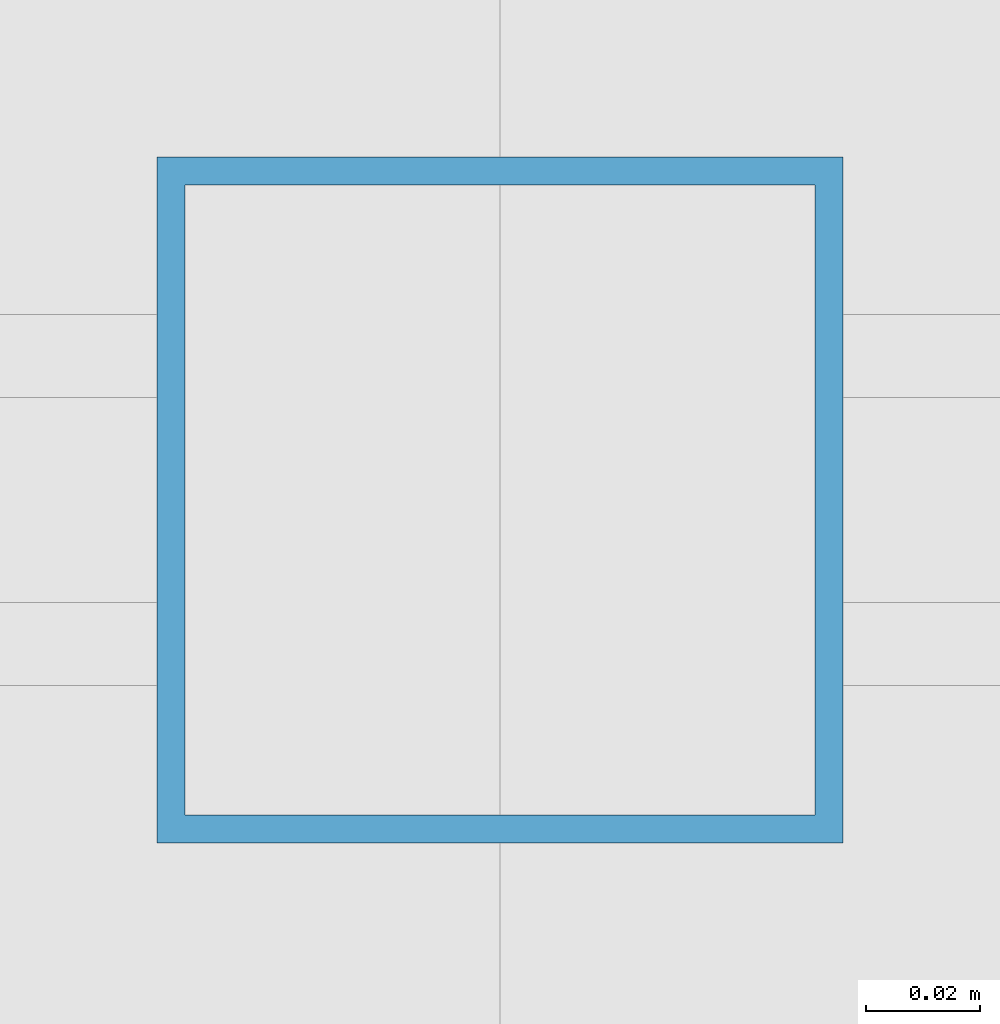
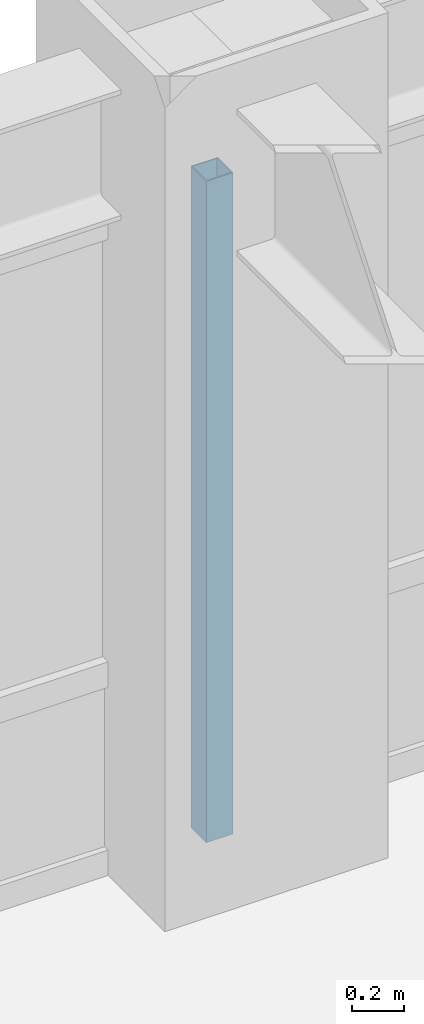
# One storey, part 16 of 24: 1 member, 1 element without a shape of its own.
"""IFC4 building model written with IfcOpenShell, lengths in metres."""

from ifc_helpers import new_model, si_unit, direction, frame, origin, origin_2d, place, context, subcontext, project, spatial, hollow_rectangle, extrude, source, transform, mapped, material, material_profile, profile_set, type_object, element, aggregate, save


model = new_model("IFC4")

# Units and contexts
model_context = context("Model", 3, precision=1e-05, world=origin(), true_north=direction((0.0, 1.0)))
body_context = subcontext(model_context, "Body", "Model", "MODEL_VIEW")
ifc_project = project(units=[si_unit("LENGTHUNIT", "METRE"), si_unit("AREAUNIT", "SQUARE_METRE"), si_unit("VOLUMEUNIT", "CUBIC_METRE"), si_unit("PLANEANGLEUNIT", "RADIAN"), si_unit("MASSUNIT", "GRAM", prefix="KILO")], contexts=[model_context])

# Site, building, storey
site_placement = place(None, origin())
site = spatial("IfcSite", under=ifc_project, at=site_placement, CompositionType="ELEMENT")
building_placement = place(site_placement, origin())
building = spatial("IfcBuilding", under=site, at=building_placement, Name="Khorayat Bourse Tower", CompositionType="ELEMENT")
storey_placement = place(building_placement, frame((0.0, 0.0, 219.10009765625)))
storey = spatial("IfcBuildingStorey", under=building, at=storey_placement, Name="L51", CompositionType="ELEMENT", Elevation=219.10009765625)

# Curtain wall, member
ifc_material = material(Name="Aluminium EN AW-6063 T6", Category="aluminium")
curtain_wall_type = type_object("IfcCurtainWallType", Name="CW-SYS-03", PredefinedType="NOTDEFINED", material=ifc_material)
curtain_wall_placement = place(storey_placement, origin())
curtain_wall = element("IfcCurtainWall", 1, at=curtain_wall_placement, inside=storey, type_object=curtain_wall_type, Name="L51 Curtain Wall CW-L51-N1", PredefinedType="NOTDEFINED")
ifc_material_profile = material_profile(ifc_material, hollow_rectangle(XDim=0.1201171875, YDim=0.1201171875, WallThickness=0.0048828125, at=origin_2d()), Name="ALU 120x120x5")
ifc_profile_set = profile_set([ifc_material_profile], Name="Aluminium EN AW-6063 T6")
member_type = type_object("IfcMemberType", Name="CWM-VERT-120", PredefinedType="MULLION", material=ifc_profile_set)
shared_shape = source(origin(), body_context, "Body", "SweptSolid", [
    extrude(hollow_rectangle(XDim=0.1201171875, YDim=0.1201171875, WallThickness=0.0048828125, at=origin_2d()), origin(), (0.0, 0.0, 1.0), 3.1298828125),
])
member_placement = place(storey_placement, frame((0.0, 30.0, 0.0), z_axis=(0.0, 0.0, 1.0), x_axis=(0.0, 1.0, 0.0)))
member = element("IfcMember", 2, at=member_placement, type_object=member_type, Name="CW-L51-N1 Vertical Mullion 2", PredefinedType="MULLION", context=body_context, shape_type="MappedRepresentation", body=[
    mapped(shared_shape, transform((0.0, 0.0, 0.0), scale=1.0)),
])
aggregate(curtain_wall, [member])

save(model, "model.ifc")
